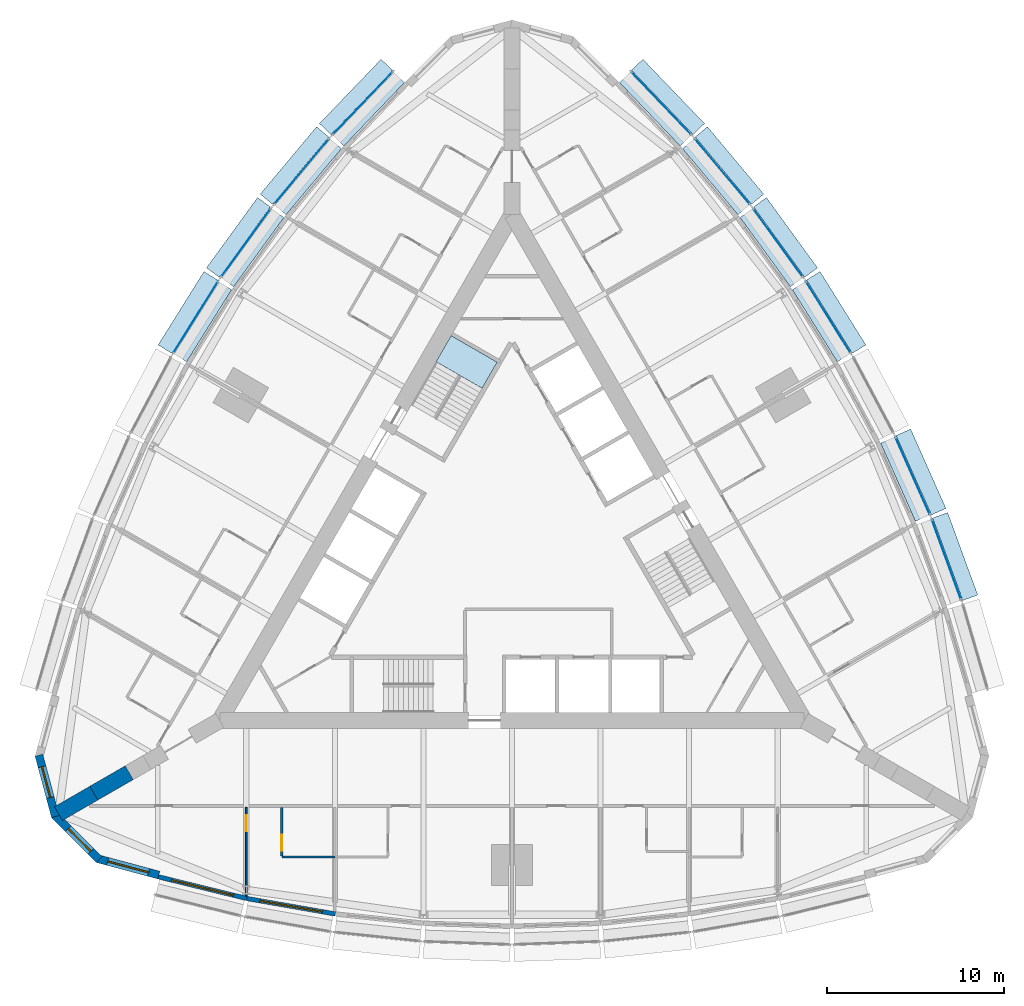
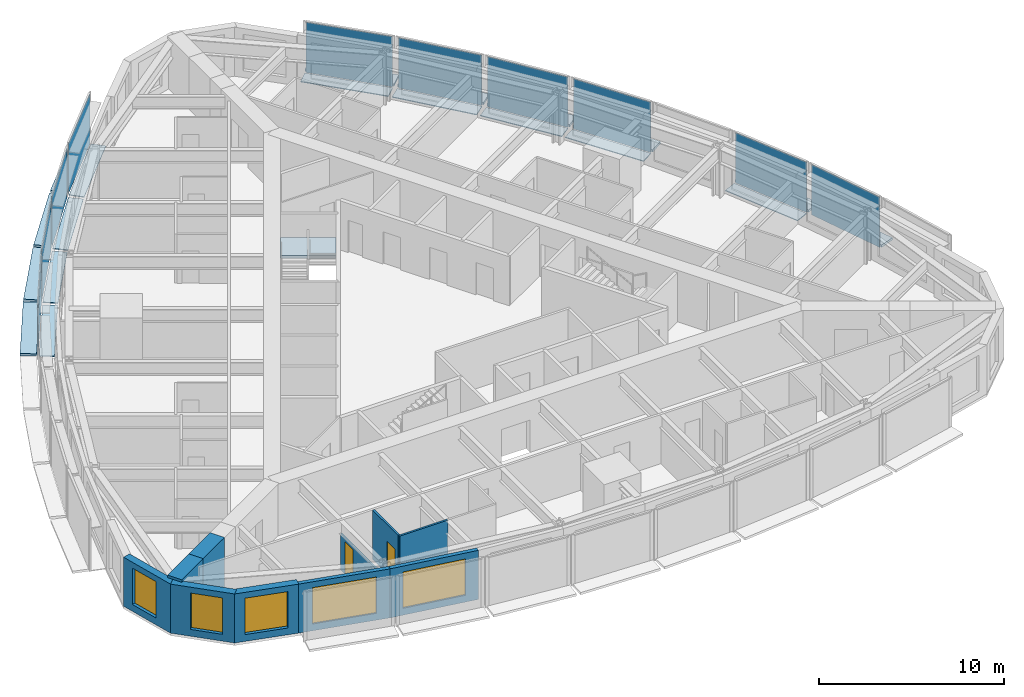
# One storey, part 7 of 14: 29 plates, 10 walls, 5 windows, 2 doors, 1 slab, 7 openings, 11 elements without a shape of their own.
"""IFC4 building model written with IfcOpenShell, lengths in metres."""

from ifc_helpers import new_model, si_unit, direction, frame, frame_2d, origin, origin_2d, place, context, subcontext, project, spatial, polyline, rectangle, outline, extrude, material, layer, layer_set, type_object, element, fill, aggregate, save


model = new_model("IFC4")

# Units and contexts
model_context = context("Model", 3, precision=1e-05, world=origin(), true_north=direction((0.0, 1.0)))
body_context = subcontext(model_context, "Body", "Model", "MODEL_VIEW")
ifc_project = project(units=[si_unit("LENGTHUNIT", "METRE"), si_unit("AREAUNIT", "SQUARE_METRE"), si_unit("VOLUMEUNIT", "CUBIC_METRE"), si_unit("PLANEANGLEUNIT", "RADIAN"), si_unit("MASSUNIT", "GRAM", prefix="KILO")], contexts=[model_context])

# Site, building, storey
site_placement = place(None, origin())
site = spatial("IfcSite", under=ifc_project, at=site_placement, CompositionType="ELEMENT")
building_placement = place(site_placement, origin())
building = spatial("IfcBuilding", under=site, at=building_placement, Name="Trikona Tower", CompositionType="ELEMENT")
storey_placement = place(building_placement, frame((0.0, 0.0, 155.5)))
storey = spatial("IfcBuildingStorey", under=building, at=storey_placement, Name="L41", CompositionType="ELEMENT", Elevation=155.5)

# Plates
ifc_material_1 = material(Name="Aluminium bar grating", Category="aluminium")
ifc_layer_1 = layer(ifc_material_1, 0.050048828125)
ifc_layer_set_1 = layer_set([ifc_layer_1], Name="Cavity catwalk grating")
plate_type_1 = type_object("IfcPlateType", Name="Cavity catwalk grating", PredefinedType="USERDEFINED", material=ifc_layer_set_1)
plate_1_placement = place(storey_placement, frame((22.175048828125, 4.092529296875, -0.0498046875), z_axis=(0.0, 0.0, 1.0), x_axis=(-0.406843467615, 0.913497888809, 0.0)))
element("IfcPlate", 1, at=plate_1_placement, inside=storey, type_object=plate_type_1, Name="Cavity catwalk L41-14", ObjectType="CATWALK GRATING", PredefinedType="USERDEFINED", context=body_context, shape_type="SweptSolid", body=[
    extrude(rectangle(XDim=4.827392578125, YDim=0.830078125, at=origin_2d()), origin(), (0.0, 0.0, 1.0), 0.050048828125),
])
plate_2_placement = place(storey_placement, frame((17.450927734375, 12.978759765625, -0.0498046875), z_axis=(0.0, 0.0, 1.0), x_axis=(-0.529994748414, 0.848000923734, 0.0)))
element("IfcPlate", 2, at=plate_2_placement, inside=storey, type_object=plate_type_1, Name="Cavity catwalk L41-16", ObjectType="CATWALK GRATING", PredefinedType="USERDEFINED", context=body_context, shape_type="SweptSolid", body=[
    extrude(rectangle(XDim=4.802978515625, YDim=0.830078125, at=origin_2d()), origin(), (0.0, 0.0, 1.0), 0.050048828125),
])
plate_3_placement = place(storey_placement, frame((14.6318359375, 17.157958984375, -0.0498046875), z_axis=(0.0, 0.0, 1.0), x_axis=(-0.587686407834, 0.809088799853, 0.0)))
element("IfcPlate", 3, at=plate_3_placement, inside=storey, type_object=plate_type_1, Name="Cavity catwalk L41-17", ObjectType="CATWALK GRATING", PredefinedType="USERDEFINED", context=body_context, shape_type="SweptSolid", body=[
    extrude(rectangle(XDim=4.827392578125, YDim=0.830078125, at=origin_2d()), origin(), (0.0, 0.0, 1.0), 0.050048828125),
])
plate_4_placement = place(storey_placement, frame((11.508056640625, 21.160400390625, -0.0498046875), z_axis=(0.0, 0.0, 1.0), x_axis=(-0.641807063101, 0.766866151133, 0.0)))
element("IfcPlate", 4, at=plate_4_placement, inside=storey, type_object=plate_type_1, Name="Cavity catwalk L41-18", ObjectType="CATWALK GRATING", PredefinedType="USERDEFINED", context=body_context, shape_type="SweptSolid", body=[
    extrude(rectangle(XDim=4.8759765625, YDim=0.830078125, at=origin_2d()), origin(), (0.0, 0.0, 1.0), 0.050048828125),
])
for number, where, z_axis, x_axis, name in (
    (5, (8.080078125, 24.986328125, -0.0498046875), (0.0, 0.0, 1.0), (-0.691723573819, 0.722162376078, 0.0), "Cavity catwalk L41-19"),
    (6, (-8.080078125, 24.986328125, -0.0498046875), (0.0, 0.0, 1.0), (-0.691723573819, -0.722162376078, 0.0), "Cavity catwalk L41-24"),
):
    element("IfcPlate", number, at=place(storey_placement, frame(where, z_axis=z_axis, x_axis=x_axis)), inside=storey, type_object=plate_type_1, Name=name, ObjectType="CATWALK GRATING", PredefinedType="USERDEFINED", context=body_context, shape_type="SweptSolid", body=[
        extrude(rectangle(XDim=4.947998046875, YDim=0.830078125, at=origin_2d()), origin(), (0.0, 0.0, 1.0), 0.050048828125),
    ])
plate_5_placement = place(storey_placement, frame((-11.508056640625, 21.160400390625, -0.0498046875), z_axis=(0.0, 0.0, 1.0), x_axis=(-0.641807063101, -0.766866151133, 0.0)))
element("IfcPlate", 7, at=plate_5_placement, inside=storey, type_object=plate_type_1, Name="Cavity catwalk L41-25", ObjectType="CATWALK GRATING", PredefinedType="USERDEFINED", context=body_context, shape_type="SweptSolid", body=[
    extrude(rectangle(XDim=4.8759765625, YDim=0.830078125, at=origin_2d()), origin(), (0.0, 0.0, 1.0), 0.050048828125),
])
plate_6_placement = place(storey_placement, frame((-14.6318359375, 17.157958984375, -0.0498046875), z_axis=(0.0, 0.0, 1.0), x_axis=(-0.587686407834, -0.809088799853, 0.0)))
element("IfcPlate", 8, at=plate_6_placement, inside=storey, type_object=plate_type_1, Name="Cavity catwalk L41-26", ObjectType="CATWALK GRATING", PredefinedType="USERDEFINED", context=body_context, shape_type="SweptSolid", body=[
    extrude(rectangle(XDim=4.827392578125, YDim=0.830078125, at=origin_2d()), origin(), (0.0, 0.0, 1.0), 0.050048828125),
])
plate_7_placement = place(storey_placement, frame((-17.450927734375, 12.978759765625, -0.0498046875), z_axis=(0.0, 0.0, 1.0), x_axis=(-0.529994748414, -0.848000923734, 0.0)))
element("IfcPlate", 9, at=plate_7_placement, inside=storey, type_object=plate_type_1, Name="Cavity catwalk L41-27", ObjectType="CATWALK GRATING", PredefinedType="USERDEFINED", context=body_context, shape_type="SweptSolid", body=[
    extrude(rectangle(XDim=4.802978515625, YDim=0.830078125, at=origin_2d()), origin(), (0.0, 0.0, 1.0), 0.050048828125),
])

# Curtain wall, plate
ifc_material_2 = material(Name="Aluminium curtain wall system", Category="aluminium")
curtain_wall_type = type_object("IfcCurtainWallType", Name="Curtain wall DS2", PredefinedType="NOTDEFINED", material=ifc_material_2)
curtain_wall_1_placement = place(storey_placement, origin())
curtain_wall_1 = element("IfcCurtainWall", 10, at=curtain_wall_1_placement, inside=storey, type_object=curtain_wall_type, Name="Curtain wall DS2 L41", PredefinedType="NOTDEFINED")
ifc_material_3 = material(Name="Laminated clear glass", Category="glass")
ifc_layer_2 = layer(ifc_material_3, 0.028076171875)
ifc_layer_set_2 = layer_set([ifc_layer_2], Name="Glass panel DS2")
plate_type_2 = type_object("IfcPlateType", Name="Glass panel DS2", PredefinedType="CURTAIN_PANEL", material=ifc_layer_set_2)
plate_8_placement = place(storey_placement, frame((24.53515625, -0.447509765625, 0.0), z_axis=(0.0, 0.0, 1.0), x_axis=(-0.343223420143, 0.939253790978, 0.0)))
plate_8 = element("IfcPlate", 11, at=plate_8_placement, type_object=plate_type_2, Name="CW-DS2 panel 1.1", PredefinedType="CURTAIN_PANEL", context=body_context, shape_type="SweptSolid", body=[
    extrude(rectangle(XDim=4.7958984375, YDim=0.028076171875, at=origin_2d()), origin(), (0.0, 0.0, 1.0), 3.320068359375),
])
aggregate(curtain_wall_1, [plate_8])

curtain_wall_2_placement = place(storey_placement, origin())
curtain_wall_2 = element("IfcCurtainWall", 12, at=curtain_wall_2_placement, inside=storey, type_object=curtain_wall_type, Name="Curtain wall DS2 L41", PredefinedType="NOTDEFINED")
plate_9_placement = place(storey_placement, frame((22.6181640625, 4.289794921875, 0.0), z_axis=(0.0, 0.0, 1.0), x_axis=(-0.406836013132, 0.913501208767, 0.0)))
plate_9 = element("IfcPlate", 13, at=plate_9_placement, type_object=plate_type_2, Name="CW-DS2 panel 1.1", PredefinedType="CURTAIN_PANEL", context=body_context, shape_type="SweptSolid", body=[
    extrude(rectangle(XDim=4.747314453125, YDim=0.028076171875, at=origin_2d()), origin(), (0.0, 0.0, 1.0), 3.320068359375),
])
aggregate(curtain_wall_2, [plate_9])

curtain_wall_3_placement = place(storey_placement, origin())
curtain_wall_3 = element("IfcCurtainWall", 14, at=curtain_wall_3_placement, inside=storey, type_object=curtain_wall_type, Name="Curtain wall DS2 L41", PredefinedType="NOTDEFINED")
plate_10_placement = place(storey_placement, frame((17.8623046875, 13.23583984375, 0.0), z_axis=(0.0, 0.0, 1.0), x_axis=(-0.529998940002, 0.847998304006, 0.0)))
plate_10 = element("IfcPlate", 15, at=plate_10_placement, type_object=plate_type_2, Name="CW-DS2 panel 1.1", PredefinedType="CURTAIN_PANEL", context=body_context, shape_type="SweptSolid", body=[
    extrude(rectangle(XDim=4.72314453125, YDim=0.028076171875, at=origin_2d()), origin(), (0.0, 0.0, 1.0), 3.320068359375),
])
aggregate(curtain_wall_3, [plate_10])

curtain_wall_4_placement = place(storey_placement, origin())
curtain_wall_4 = element("IfcCurtainWall", 16, at=curtain_wall_4_placement, inside=storey, type_object=curtain_wall_type, Name="Curtain wall DS2 L41", PredefinedType="NOTDEFINED")
plate_11_placement = place(storey_placement, frame((15.024169921875, 17.443115234375, 0.0), z_axis=(0.0, 0.0, 1.0), x_axis=(-0.587690588313, 0.80908576332, 0.0)))
plate_11 = element("IfcPlate", 17, at=plate_11_placement, type_object=plate_type_2, Name="CW-DS2 panel 1.1", PredefinedType="CURTAIN_PANEL", context=body_context, shape_type="SweptSolid", body=[
    extrude(rectangle(XDim=4.74755859375, YDim=0.028076171875, at=origin_2d()), origin(), (0.0, 0.0, 1.0), 3.320068359375),
])
aggregate(curtain_wall_4, [plate_11])

curtain_wall_5_placement = place(storey_placement, origin())
curtain_wall_5 = element("IfcCurtainWall", 18, at=curtain_wall_5_placement, inside=storey, type_object=curtain_wall_type, Name="Curtain wall DS2 L41", PredefinedType="NOTDEFINED")
plate_12_placement = place(storey_placement, frame((11.8798828125, 21.4716796875, 0.0), z_axis=(0.0, 0.0, 1.0), x_axis=(-0.641806433248, 0.766866678271, 0.0)))
plate_12 = element("IfcPlate", 19, at=plate_12_placement, type_object=plate_type_2, Name="CW-DS2 panel 1.1", PredefinedType="CURTAIN_PANEL", context=body_context, shape_type="SweptSolid", body=[
    extrude(rectangle(XDim=4.7958984375, YDim=0.028076171875, at=origin_2d()), origin(), (0.0, 0.0, 1.0), 3.320068359375),
])
aggregate(curtain_wall_5, [plate_12])

curtain_wall_6_placement = place(storey_placement, origin())
curtain_wall_6 = element("IfcCurtainWall", 20, at=curtain_wall_6_placement, inside=storey, type_object=curtain_wall_type, Name="Curtain wall DS2 L41", PredefinedType="NOTDEFINED")
plate_13_placement = place(storey_placement, frame((8.430419921875, 25.32177734375, 0.0), z_axis=(0.0, 0.0, 1.0), x_axis=(-0.691727797117, 0.722158330767, 0.0)))
plate_13 = element("IfcPlate", 21, at=plate_13_placement, type_object=plate_type_2, Name="CW-DS2 panel 1.1", PredefinedType="CURTAIN_PANEL", context=body_context, shape_type="SweptSolid", body=[
    extrude(rectangle(XDim=4.867919921875, YDim=0.028076171875, at=origin_2d()), origin(), (0.0, 0.0, 1.0), 3.320068359375),
])
aggregate(curtain_wall_6, [plate_13])

curtain_wall_7_placement = place(storey_placement, origin())
curtain_wall_7 = element("IfcCurtainWall", 22, at=curtain_wall_7_placement, inside=storey, type_object=curtain_wall_type, Name="Curtain wall DS2 L41", PredefinedType="NOTDEFINED")
plate_14_placement = place(storey_placement, frame((-8.430419921875, 25.32177734375, 0.0), z_axis=(0.0, 0.0, 1.0), x_axis=(-0.691727797117, -0.722158330767, 0.0)))
plate_14 = element("IfcPlate", 23, at=plate_14_placement, type_object=plate_type_2, Name="CW-DS2 panel 1.1", PredefinedType="CURTAIN_PANEL", context=body_context, shape_type="SweptSolid", body=[
    extrude(rectangle(XDim=4.867919921875, YDim=0.028076171875, at=origin_2d()), origin(), (0.0, 0.0, 1.0), 3.320068359375),
])
aggregate(curtain_wall_7, [plate_14])

curtain_wall_8_placement = place(storey_placement, origin())
curtain_wall_8 = element("IfcCurtainWall", 24, at=curtain_wall_8_placement, inside=storey, type_object=curtain_wall_type, Name="Curtain wall DS2 L41", PredefinedType="NOTDEFINED")
plate_15_placement = place(storey_placement, frame((-11.8798828125, 21.4716796875, 0.0), z_axis=(0.0, 0.0, 1.0), x_axis=(-0.641806433248, -0.766866678271, 0.0)))
plate_15 = element("IfcPlate", 25, at=plate_15_placement, type_object=plate_type_2, Name="CW-DS2 panel 1.1", PredefinedType="CURTAIN_PANEL", context=body_context, shape_type="SweptSolid", body=[
    extrude(rectangle(XDim=4.7958984375, YDim=0.028076171875, at=origin_2d()), origin(), (0.0, 0.0, 1.0), 3.320068359375),
])
aggregate(curtain_wall_8, [plate_15])

curtain_wall_9_placement = place(storey_placement, origin())
curtain_wall_9 = element("IfcCurtainWall", 26, at=curtain_wall_9_placement, inside=storey, type_object=curtain_wall_type, Name="Curtain wall DS2 L41", PredefinedType="NOTDEFINED")
plate_16_placement = place(storey_placement, frame((-15.024169921875, 17.443115234375, 0.0), z_axis=(0.0, 0.0, 1.0), x_axis=(-0.587690588313, -0.80908576332, 0.0)))
plate_16 = element("IfcPlate", 27, at=plate_16_placement, type_object=plate_type_2, Name="CW-DS2 panel 1.1", PredefinedType="CURTAIN_PANEL", context=body_context, shape_type="SweptSolid", body=[
    extrude(rectangle(XDim=4.74755859375, YDim=0.028076171875, at=origin_2d()), origin(), (0.0, 0.0, 1.0), 3.320068359375),
])
aggregate(curtain_wall_9, [plate_16])

curtain_wall_10_placement = place(storey_placement, origin())
curtain_wall_10 = element("IfcCurtainWall", 28, at=curtain_wall_10_placement, inside=storey, type_object=curtain_wall_type, Name="Curtain wall DS2 L41", PredefinedType="NOTDEFINED")
plate_17_placement = place(storey_placement, frame((-17.8623046875, 13.23583984375, 0.0), z_axis=(0.0, 0.0, 1.0), x_axis=(-0.529998940002, -0.847998304006, 0.0)))
plate_17 = element("IfcPlate", 29, at=plate_17_placement, type_object=plate_type_2, Name="CW-DS2 panel 1.1", PredefinedType="CURTAIN_PANEL", context=body_context, shape_type="SweptSolid", body=[
    extrude(rectangle(XDim=4.72314453125, YDim=0.028076171875, at=origin_2d()), origin(), (0.0, 0.0, 1.0), 3.320068359375),
])
aggregate(curtain_wall_10, [plate_17])

# Plates
ifc_material_4 = material(Name="Aluminium plate fin, pale anodised, on stainless steel outriggers", Category="steel")
ifc_layer_3 = layer(ifc_material_4, 0.14990234375)
ifc_layer_set_3 = layer_set([ifc_layer_3], Name="Outer skin fin 900")
plate_type_3 = type_object("IfcPlateType", Name="Outer skin fin 900", PredefinedType="USERDEFINED", material=ifc_layer_set_3)
plate_18_placement = place(storey_placement, frame((25.0234375, -0.26904296875, 0.0), z_axis=(0.0, 0.0, 1.0), x_axis=(-0.343220397324, 0.939254895575, 0.0)))
element("IfcPlate", 30, at=plate_18_placement, inside=storey, type_object=plate_type_3, Name="Outer skin fin L41-13", ObjectType="FIN", PredefinedType="USERDEFINED", context=body_context, shape_type="SweptSolid", body=[
    extrude(rectangle(XDim=4.9560546875, YDim=0.89990234375, at=origin_2d()), origin(), (0.0, 0.0, 1.0), 0.14990234375),
])
plate_19_placement = place(storey_placement, frame((23.09326171875, 4.50146484375, 0.0), z_axis=(0.0, 0.0, 1.0), x_axis=(-0.406843467615, 0.913497888809, 0.0)))
element("IfcPlate", 31, at=plate_19_placement, inside=storey, type_object=plate_type_3, Name="Outer skin fin L41-14", ObjectType="FIN", PredefinedType="USERDEFINED", context=body_context, shape_type="SweptSolid", body=[
    extrude(rectangle(XDim=4.907470703125, YDim=0.89990234375, at=origin_2d()), origin(), (0.0, 0.0, 1.0), 0.14990234375),
])
plate_20_placement = place(storey_placement, frame((18.30322265625, 13.511474609375, 0.0), z_axis=(0.0, 0.0, 1.0), x_axis=(-0.529994748414, 0.848000923734, 0.0)))
element("IfcPlate", 32, at=plate_20_placement, inside=storey, type_object=plate_type_3, Name="Outer skin fin L41-16", ObjectType="FIN", PredefinedType="USERDEFINED", context=body_context, shape_type="SweptSolid", body=[
    extrude(rectangle(XDim=4.883056640625, YDim=0.89990234375, at=origin_2d()), origin(), (0.0, 0.0, 1.0), 0.14990234375),
])
plate_21_placement = place(storey_placement, frame((15.44482421875, 17.74853515625, 0.0), z_axis=(0.0, 0.0, 1.0), x_axis=(-0.587686407834, 0.809088799853, 0.0)))
element("IfcPlate", 33, at=plate_21_placement, inside=storey, type_object=plate_type_3, Name="Outer skin fin L41-17", ObjectType="FIN", PredefinedType="USERDEFINED", context=body_context, shape_type="SweptSolid", body=[
    extrude(rectangle(XDim=4.907470703125, YDim=0.89990234375, at=origin_2d()), origin(), (0.0, 0.0, 1.0), 0.14990234375),
])
plate_22_placement = place(storey_placement, frame((12.27880859375, 21.8056640625, 0.0), z_axis=(0.0, 0.0, 1.0), x_axis=(-0.641807063101, 0.766866151133, 0.0)))
element("IfcPlate", 34, at=plate_22_placement, inside=storey, type_object=plate_type_3, Name="Outer skin fin L41-18", ObjectType="FIN", PredefinedType="USERDEFINED", context=body_context, shape_type="SweptSolid", body=[
    extrude(rectangle(XDim=4.9560546875, YDim=0.89990234375, at=origin_2d()), origin(), (0.0, 0.0, 1.0), 0.14990234375),
])
for number, where, z_axis, x_axis, name in (
    (35, (8.805908203125, 25.681396484375, 0.0), (0.0, 0.0, 1.0), (-0.691723573819, 0.722162376078, 0.0), "Outer skin fin L41-19"),
    (36, (-8.805908203125, 25.681396484375, 0.0), (0.0, 0.0, 1.0), (-0.691723573819, -0.722162376078, 0.0), "Outer skin fin L41-24"),
):
    element("IfcPlate", number, at=place(storey_placement, frame(where, z_axis=z_axis, x_axis=x_axis)), inside=storey, type_object=plate_type_3, Name=name, ObjectType="FIN", PredefinedType="USERDEFINED", context=body_context, shape_type="SweptSolid", body=[
        extrude(rectangle(XDim=5.02783203125, YDim=0.89990234375, at=origin_2d()), origin(), (0.0, 0.0, 1.0), 0.14990234375),
    ])
plate_23_placement = place(storey_placement, frame((-12.27880859375, 21.8056640625, 0.0), z_axis=(0.0, 0.0, 1.0), x_axis=(-0.641807063101, -0.766866151133, 0.0)))
element("IfcPlate", 37, at=plate_23_placement, inside=storey, type_object=plate_type_3, Name="Outer skin fin L41-25", ObjectType="FIN", PredefinedType="USERDEFINED", context=body_context, shape_type="SweptSolid", body=[
    extrude(rectangle(XDim=4.9560546875, YDim=0.89990234375, at=origin_2d()), origin(), (0.0, 0.0, 1.0), 0.14990234375),
])
plate_24_placement = place(storey_placement, frame((-15.44482421875, 17.74853515625, 0.0), z_axis=(0.0, 0.0, 1.0), x_axis=(-0.587686407834, -0.809088799853, 0.0)))
element("IfcPlate", 38, at=plate_24_placement, inside=storey, type_object=plate_type_3, Name="Outer skin fin L41-26", ObjectType="FIN", PredefinedType="USERDEFINED", context=body_context, shape_type="SweptSolid", body=[
    extrude(rectangle(XDim=4.907470703125, YDim=0.89990234375, at=origin_2d()), origin(), (0.0, 0.0, 1.0), 0.14990234375),
])
plate_25_placement = place(storey_placement, frame((-18.30322265625, 13.511474609375, 0.0), z_axis=(0.0, 0.0, 1.0), x_axis=(-0.529994748414, -0.848000923734, 0.0)))
element("IfcPlate", 39, at=plate_25_placement, inside=storey, type_object=plate_type_3, Name="Outer skin fin L41-27", ObjectType="FIN", PredefinedType="USERDEFINED", context=body_context, shape_type="SweptSolid", body=[
    extrude(rectangle(XDim=4.883056640625, YDim=0.89990234375, at=origin_2d()), origin(), (0.0, 0.0, 1.0), 0.14990234375),
])

# Stair, slab
ifc_material_5 = material(Name="Concrete f'c 5000 psi", Category="concrete")
stair_type = type_object("IfcStairType", Name="Core stair", PredefinedType="HALF_TURN_STAIR", material=ifc_material_5)
stair_placement = place(storey_placement, origin())
stair = element("IfcStair", 40, at=stair_placement, inside=storey, type_object=stair_type, Name="Stair C L41", PredefinedType="HALF_TURN_STAIR")
ifc_material_6 = material(Name="Concrete f'c 5000 psi", Category="concrete")
ifc_layer_4 = layer(ifc_material_6, 0.199951171875)
ifc_layer_set_4 = layer_set([ifc_layer_4], Name="Stair landing 200")
slab_type = type_object("IfcSlabType", Name="Stair landing 200", PredefinedType="LANDING", material=ifc_layer_set_4)
slab_placement = place(storey_placement, frame((0.0, 0.0, 1.5)))
slab = element("IfcSlab", 41, at=slab_placement, type_object=slab_type, Name="ST-C landing 2", PredefinedType="LANDING", context=body_context, shape_type="SweptSolid", body=[
    extrude(outline(polyline([(-0.837158203125, 10.702392578125), (-1.688720703125, 9.2275390625), (-4.286865234375, 10.7275390625), (-3.435302734375, 12.202392578125), (-0.837158203125, 10.702392578125)])), origin(), (0.0, 0.0, 1.0), 0.199951171875),
])
aggregate(stair, [slab])

# Wall
ifc_material_7 = material(Name="Metal stud and cement board", Category="gypsum")
ifc_layer_5 = layer(ifc_material_7, 0.1201171875)
ifc_layer_set_5 = layer_set([ifc_layer_5], Name="Bathroom wall 120")
wall_type_1 = type_object("IfcWallType", Name="Bathroom wall 120", PredefinedType="PLUMBINGWALL", material=ifc_layer_set_5)
wall_1_placement = place(storey_placement, frame((-13.0, -17.226318359375, 0.0), z_axis=(0.0, 0.0, 1.0), x_axis=(1.0, 0.0, 0.0)))
element("IfcWall", 42, at=wall_1_placement, inside=storey, type_object=wall_type_1, Name="Bathroom wall 4101.1", PredefinedType="PLUMBINGWALL", context=body_context, shape_type="SweptSolid", body=[
    extrude(rectangle(XDim=3.0, YDim=0.1201171875, at=frame_2d((1.5, 0.0))), origin(), (0.0, 0.0, 1.0), 3.235107421875),
])

# Wall, opening, door
wall_2_placement = place(storey_placement, frame((-13.0, -14.42626953125, 0.0), z_axis=(0.0, 0.0, 1.0), x_axis=(0.0, -1.0, 0.0)))
wall_2 = element("IfcWall", 43, at=wall_2_placement, inside=storey, type_object=wall_type_1, Name="Bathroom wall 4101.1", PredefinedType="PLUMBINGWALL", context=body_context, shape_type="SweptSolid", body=[
    extrude(rectangle(XDim=2.739990234375, YDim=0.1201171875, at=frame_2d((1.3701171875, 0.0))), origin(), (0.0, 0.0, 1.0), 3.235107421875),
])
opening_1_placement = place(wall_2_placement, frame((1.550048828125, 0.0, 0.0)))
opening_1 = element("IfcOpeningElement", 44, at=opening_1_placement, cuts=wall_2, Name="Opening D2", PredefinedType="OPENING", context=body_context, shape_type="SweptSolid", body=[
    extrude(rectangle(XDim=0.89990234375, YDim=2.1298828125, at=frame_2d((0.449951171875, 1.06494140625))), frame((0.0, 0.070068359375, 0.0), z_axis=(0.0, -1.0, 0.0), x_axis=(1.0, 0.0, 0.0)), (0.0, 0.0, 1.0), 0.14013671875),
])
ifc_material_8 = material(Name="Steel door frame with solid-core timber leaf", Category="steel")
door_type_1 = type_object("IfcDoorType", Name="Bathroom door 900x2130", OperationType="SLIDING_TO_LEFT", PredefinedType="DOOR", material=ifc_material_8)
door_1_placement = place(opening_1_placement, origin())
door_1 = element("IfcDoor", 45, at=door_1_placement, inside=storey, type_object=door_type_1, Name="Bathroom door 4101.1", OperationType="SLIDING_TO_LEFT", OverallHeight=2.1298828125, OverallWidth=0.89990234375, PredefinedType="DOOR", context=body_context, shape_type="SweptSolid", body=[
    extrude(rectangle(XDim=0.89990234375, YDim=2.1298828125, at=frame_2d((0.449951171875, 1.06494140625))), frame((0.0, 0.02490234375, 0.0), z_axis=(0.0, -1.0, 0.0), x_axis=(1.0, 0.0, 0.0)), (0.0, 0.0, 1.0), 0.050048828125),
])
fill(opening_1, door_1)

# Wall, opening, window
ifc_material_9 = material(Name="Brick-faced precast concrete", Category="masonry")
ifc_layer_6 = layer(ifc_material_9, 0.449951171875)
ifc_layer_set_6 = layer_set([ifc_layer_6], Name="Brick-faced corner wall 450")
wall_type_2 = type_object("IfcWallType", Name="Brick-faced corner wall 450", PredefinedType="SOLIDWALL", material=ifc_layer_set_6)
wall_3_placement = place(storey_placement, frame((-26.7109375, -11.48876953125, 0.0), z_axis=(0.0, 0.0, 1.0), x_axis=(0.258823421857, -0.965924653531, 0.0)))
wall_3 = element("IfcWall", 46, at=wall_3_placement, inside=storey, type_object=wall_type_2, Name="External wall L41-33", PredefinedType="SOLIDWALL", context=body_context, shape_type="SweptSolid", body=[
    extrude(outline(polyline([(3.58642578125, 0.22509765625), (3.52685546875, 0.22509765625), (3.03515625, 0.09326171875), (3.0, 0.22509765625), (0.0, 0.22509765625), (0.0, -0.22509765625), (3.58642578125, -0.22509765625), (3.58642578125, 0.22509765625)])), origin(), (0.0, 0.0, 1.0), 3.235107421875),
])
opening_2_placement = place(wall_3_placement, frame((0.6748046875, 0.0, 0.449951171875)))
opening_2 = element("IfcOpeningElement", 47, at=opening_2_placement, cuts=wall_3, Name="Opening W1824", PredefinedType="OPENING", context=body_context, shape_type="SweptSolid", body=[
    extrude(rectangle(XDim=1.800048828125, YDim=2.39990234375, at=frame_2d((0.89990234375, 1.199951171875))), frame((0.0, 0.23486328125, 0.0), z_axis=(0.0, -1.0, 0.0), x_axis=(1.0, 0.0, 0.0)), (0.0, 0.0, 1.0), 0.469970703125),
])
ifc_material_10 = material(Name="Aluminium-framed double glazing", Category="aluminium")
window_type_1 = type_object("IfcWindowType", Name="Window 1800x2400", PartitioningType="SINGLE_PANEL", PredefinedType="WINDOW", material=ifc_material_10)
window_1_placement = place(opening_2_placement, origin())
window_1 = element("IfcWindow", 48, at=window_1_placement, inside=storey, type_object=window_type_1, Name="Window 4115", OverallHeight=2.39990234375, OverallWidth=1.800048828125, PartitioningType="SINGLE_PANEL", PredefinedType="WINDOW", context=body_context, shape_type="SweptSolid", body=[
    extrude(rectangle(XDim=1.800048828125, YDim=2.39990234375, at=frame_2d((0.89990234375, 1.199951171875))), frame((0.0, 0.030029296875, 0.0), z_axis=(0.0, -1.0, 0.0), x_axis=(1.0, 0.0, 0.0)), (0.0, 0.0, 1.0), 0.06005859375),
])
fill(opening_2, window_1)

wall_4_placement = place(storey_placement, frame((-25.8408203125, -14.85205078125, 0.0), z_axis=(0.0, 0.0, 1.0), x_axis=(0.707106781187, -0.707106781187, 0.0)))
wall_4 = element("IfcWall", 49, at=wall_4_placement, inside=storey, type_object=wall_type_2, Name="External wall L41-34", PredefinedType="SOLIDWALL", context=body_context, shape_type="SweptSolid", body=[
    extrude(outline(polyline([(3.586181640625, 0.22509765625), (0.58642578125, 0.22509765625), (0.551025390625, 0.09326171875), (0.05908203125, 0.22509765625), (0.0, 0.22509765625), (0.0, -0.22509765625), (3.586181640625, -0.22509765625), (3.586181640625, 0.22509765625)])), origin(), (0.0, 0.0, 1.0), 3.235107421875),
])
opening_3_placement = place(wall_4_placement, frame((1.111328125, 0.0, 0.449951171875)))
opening_3 = element("IfcOpeningElement", 50, at=opening_3_placement, cuts=wall_4, Name="Opening W1824", PredefinedType="OPENING", context=body_context, shape_type="SweptSolid", body=[
    extrude(rectangle(XDim=1.800048828125, YDim=2.39990234375, at=frame_2d((0.89990234375, 1.199951171875))), frame((0.0, 0.23486328125, 0.0), z_axis=(0.0, -1.0, 0.0), x_axis=(1.0, 0.0, 0.0)), (0.0, 0.0, 1.0), 0.469970703125),
])
window_2_placement = place(opening_3_placement, origin())
window_2 = element("IfcWindow", 51, at=window_2_placement, inside=storey, type_object=window_type_1, Name="Window 4101", OverallHeight=2.39990234375, OverallWidth=1.800048828125, PartitioningType="SINGLE_PANEL", PredefinedType="WINDOW", context=body_context, shape_type="SweptSolid", body=[
    extrude(rectangle(XDim=1.800048828125, YDim=2.39990234375, at=frame_2d((0.89990234375, 1.199951171875))), frame((0.0, 0.030029296875, 0.0), z_axis=(0.0, -1.0, 0.0), x_axis=(1.0, 0.0, 0.0)), (0.0, 0.0, 1.0), 0.06005859375),
])
fill(opening_3, window_2)

wall_5_placement = place(storey_placement, frame((-23.406005859375, -17.32958984375, 0.0), z_axis=(0.0, 0.0, 1.0), x_axis=(0.965924653531, -0.258823421857, 0.0)))
wall_5 = element("IfcWall", 52, at=wall_5_placement, inside=storey, type_object=wall_type_2, Name="External wall L41-35", PredefinedType="SOLIDWALL", context=body_context, shape_type="SweptSolid", body=[
    extrude(rectangle(XDim=3.58642578125, YDim=0.449951171875, at=frame_2d((1.793212890625, 0.0))), origin(), (0.0, 0.0, 1.0), 3.235107421875),
])
opening_4_placement = place(wall_5_placement, frame((0.593017578125, 0.0, 0.449951171875)))
opening_4 = element("IfcOpeningElement", 53, at=opening_4_placement, cuts=wall_5, Name="Opening W2424", PredefinedType="OPENING", context=body_context, shape_type="SweptSolid", body=[
    extrude(rectangle(XDim=2.39990234375, YDim=2.39990234375, at=frame_2d((1.199951171875, 1.199951171875))), frame((0.0, 0.23486328125, 0.0), z_axis=(0.0, -1.0, 0.0), x_axis=(1.0, 0.0, 0.0)), (0.0, 0.0, 1.0), 0.469970703125),
])
ifc_material_11 = material(Name="Aluminium-framed double glazing", Category="aluminium")
window_type_2 = type_object("IfcWindowType", Name="Window 2400x2400", PartitioningType="SINGLE_PANEL", PredefinedType="WINDOW", material=ifc_material_11)
window_3_placement = place(opening_4_placement, origin())
window_3 = element("IfcWindow", 54, at=window_3_placement, inside=storey, type_object=window_type_2, Name="Window 4101", OverallHeight=2.39990234375, OverallWidth=2.39990234375, PartitioningType="SINGLE_PANEL", PredefinedType="WINDOW", context=body_context, shape_type="SweptSolid", body=[
    extrude(rectangle(XDim=2.39990234375, YDim=2.39990234375, at=frame_2d((1.199951171875, 1.199951171875))), frame((0.0, 0.030029296875, 0.0), z_axis=(0.0, -1.0, 0.0), x_axis=(1.0, 0.0, 0.0)), (0.0, 0.0, 1.0), 0.06005859375),
])
fill(opening_4, window_3)

# Walls
ifc_material_12 = material(Name="Concrete f'c 10000 psi", Category="concrete")
ifc_layer_7 = layer(ifc_material_12, 0.89990234375)
ifc_layer_set_7 = layer_set([ifc_layer_7], Name="Buttress wall 900")
wall_type_3 = type_object("IfcWallType", Name="Buttress wall 900", PredefinedType="SHEAR", material=ifc_layer_set_7)
for number, where, z_axis, x_axis, name in (
    (55, (-21.6103515625, -12.476806640625, 0.0), (0.0, 0.0, 1.0), (-0.866055313784, -0.499948190782, 0.0), "Buttress wall 3 part 3"),
    (56, (-23.6103515625, -13.63134765625, 0.0), (0.0, 0.0, 1.0), (-0.866009537788, -0.500027479704, 0.0), "Buttress wall 3 part 4"),
):
    element("IfcWall", number, at=place(storey_placement, frame(where, z_axis=z_axis, x_axis=x_axis)), inside=storey, type_object=wall_type_3, Name=name, PredefinedType="SHEAR", context=body_context, shape_type="SweptSolid", body=[
        extrude(rectangle(XDim=2.309326171875, YDim=0.89990234375, at=frame_2d((1.15478515625, 0.0))), origin(), (0.0, 0.0, 1.0), 3.39990234375),
    ])

# Wall, opening, window
ifc_material_13 = material(Name="Insulated precast concrete spandrel panel", Category="concrete")
ifc_layer_8 = layer(ifc_material_13, 0.25)
ifc_layer_set_8 = layer_set([ifc_layer_8], Name="Inner skin wall 250")
wall_type_4 = type_object("IfcWallType", Name="Inner skin wall 250", PredefinedType="STANDARD", material=ifc_layer_set_8)
wall_6_placement = place(storey_placement, frame((-19.97021484375, -18.353759765625, 0.0), z_axis=(0.0, 0.0, 1.0), x_axis=(0.971270024053, -0.237980126011, 0.0)))
wall_6 = element("IfcWall", 57, at=wall_6_placement, inside=storey, type_object=wall_type_4, Name="External wall L41-00", PredefinedType="STANDARD", context=body_context, shape_type="SweptSolid", body=[
    extrude(rectangle(XDim=5.14794921875, YDim=0.25, at=frame_2d((2.573974609375, 0.0))), origin(), (0.0, 0.0, 1.0), 3.235107421875),
])
opening_5_placement = place(wall_6_placement, frame((0.77392578125, 0.0, 0.449951171875)))
opening_5 = element("IfcOpeningElement", 58, at=opening_5_placement, cuts=wall_6, Name="Opening W3624", PredefinedType="OPENING", context=body_context, shape_type="SweptSolid", body=[
    extrude(rectangle(XDim=3.60009765625, YDim=2.39990234375, at=frame_2d((1.800048828125, 1.199951171875))), frame((0.0, 0.135009765625, 0.0), z_axis=(0.0, -1.0, 0.0), x_axis=(1.0, 0.0, 0.0)), (0.0, 0.0, 1.0), 0.27001953125),
])
ifc_material_14 = material(Name="Aluminium-framed double glazing", Category="aluminium")
window_type_3 = type_object("IfcWindowType", Name="Window 3600x2400", PartitioningType="SINGLE_PANEL", PredefinedType="WINDOW", material=ifc_material_14)
window_4_placement = place(opening_5_placement, origin())
window_4 = element("IfcWindow", 59, at=window_4_placement, inside=storey, type_object=window_type_3, Name="Window 4101", OverallHeight=2.39990234375, OverallWidth=3.60009765625, PartitioningType="SINGLE_PANEL", PredefinedType="WINDOW", context=body_context, shape_type="SweptSolid", body=[
    extrude(rectangle(XDim=3.60009765625, YDim=2.39990234375, at=frame_2d((1.800048828125, 1.199951171875))), frame((0.0, 0.030029296875, 0.0), z_axis=(0.0, -1.0, 0.0), x_axis=(1.0, 0.0, 0.0)), (0.0, 0.0, 1.0), 0.06005859375),
])
fill(opening_5, window_4)

wall_7_placement = place(storey_placement, frame((-14.978515625, -19.5771484375, 0.0), z_axis=(0.0, 0.0, 1.0), x_axis=(0.985030467156, -0.172380331752, 0.0)))
wall_7 = element("IfcWall", 60, at=wall_7_placement, inside=storey, type_object=wall_type_4, Name="External wall L41-01", PredefinedType="STANDARD", context=body_context, shape_type="SweptSolid", body=[
    extrude(rectangle(XDim=5.075927734375, YDim=0.25, at=frame_2d((2.5380859375, 0.0))), origin(), (0.0, 0.0, 1.0), 3.235107421875),
])
opening_6_placement = place(wall_7_placement, frame((0.738037109375, 0.0, 0.449951171875)))
opening_6 = element("IfcOpeningElement", 61, at=opening_6_placement, cuts=wall_7, Name="Opening W3624", PredefinedType="OPENING", context=body_context, shape_type="SweptSolid", body=[
    extrude(rectangle(XDim=3.60009765625, YDim=2.39990234375, at=frame_2d((1.800048828125, 1.199951171875))), frame((0.0, 0.135009765625, 0.0), z_axis=(0.0, -1.0, 0.0), x_axis=(1.0, 0.0, 0.0)), (0.0, 0.0, 1.0), 0.27001953125),
])
window_5_placement = place(opening_6_placement, origin())
window_5 = element("IfcWindow", 62, at=window_5_placement, inside=storey, type_object=window_type_3, Name="Window 4101.1", OverallHeight=2.39990234375, OverallWidth=3.60009765625, PartitioningType="SINGLE_PANEL", PredefinedType="WINDOW", context=body_context, shape_type="SweptSolid", body=[
    extrude(rectangle(XDim=3.60009765625, YDim=2.39990234375, at=frame_2d((1.800048828125, 1.199951171875))), frame((0.0, 0.030029296875, 0.0), z_axis=(0.0, -1.0, 0.0), x_axis=(1.0, 0.0, 0.0)), (0.0, 0.0, 1.0), 0.06005859375),
])
fill(opening_6, window_5)

# Wall, opening, door
ifc_material_15 = material(Name="Metal stud and gypsum board, acoustic", Category="gypsum")
ifc_layer_9 = layer(ifc_material_15, 0.10009765625)
ifc_layer_set_9 = layer_set([ifc_layer_9], Name="Suite partition 100")
wall_type_5 = type_object("IfcWallType", Name="Suite partition 100", PredefinedType="PARTITIONING", material=ifc_layer_set_9)
wall_8_placement = place(storey_placement, frame((-15.0, -14.42626953125, 0.0), z_axis=(0.0, 0.0, 1.0), x_axis=(0.0, -1.0, 0.0)))
wall_8 = element("IfcWall", 63, at=wall_8_placement, inside=storey, type_object=wall_type_5, Name="Suite partition L41 F1 u-15", PredefinedType="PARTITIONING", context=body_context, shape_type="SweptSolid", body=[
    extrude(rectangle(XDim=5.0166015625, YDim=0.10009765625, at=frame_2d((2.50830078125, 0.0))), origin(), (0.0, 0.0, 1.0), 2.38916015625),
])
opening_7_placement = place(wall_8_placement, frame((0.449951171875, 0.0, 0.0)))
opening_7 = element("IfcOpeningElement", 64, at=opening_7_placement, cuts=wall_8, Name="Opening D13", PredefinedType="OPENING", context=body_context, shape_type="SweptSolid", body=[
    extrude(rectangle(XDim=0.89990234375, YDim=2.1298828125, at=frame_2d((0.449951171875, 1.06494140625))), frame((0.0, 0.06005859375, 0.0), z_axis=(0.0, -1.0, 0.0), x_axis=(1.0, 0.0, 0.0)), (0.0, 0.0, 1.0), 0.1201171875),
])
ifc_material_16 = material(Name="Steel door frame with solid-core timber leaf", Category="steel")
door_type_2 = type_object("IfcDoorType", Name="Suite door 900x2130", OperationType="SINGLE_SWING_LEFT", PredefinedType="DOOR", material=ifc_material_16)
door_2_placement = place(opening_7_placement, origin())
door_2 = element("IfcDoor", 65, at=door_2_placement, inside=storey, type_object=door_type_2, Name="Suite door 4101", OperationType="SINGLE_SWING_LEFT", OverallHeight=2.1298828125, OverallWidth=0.89990234375, PredefinedType="DOOR", context=body_context, shape_type="SweptSolid", body=[
    extrude(rectangle(XDim=0.89990234375, YDim=2.1298828125, at=frame_2d((0.449951171875, 1.06494140625))), frame((0.0, 0.02490234375, 0.0), z_axis=(0.0, -1.0, 0.0), x_axis=(1.0, 0.0, 0.0)), (0.0, 0.0, 1.0), 0.050048828125),
])
fill(opening_7, door_2)

save(model, "model.ifc")
